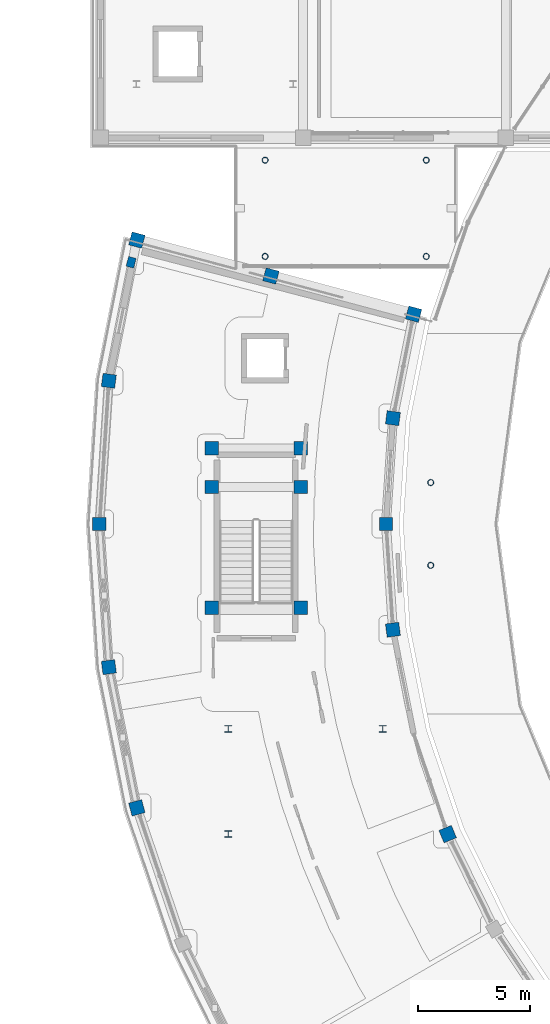
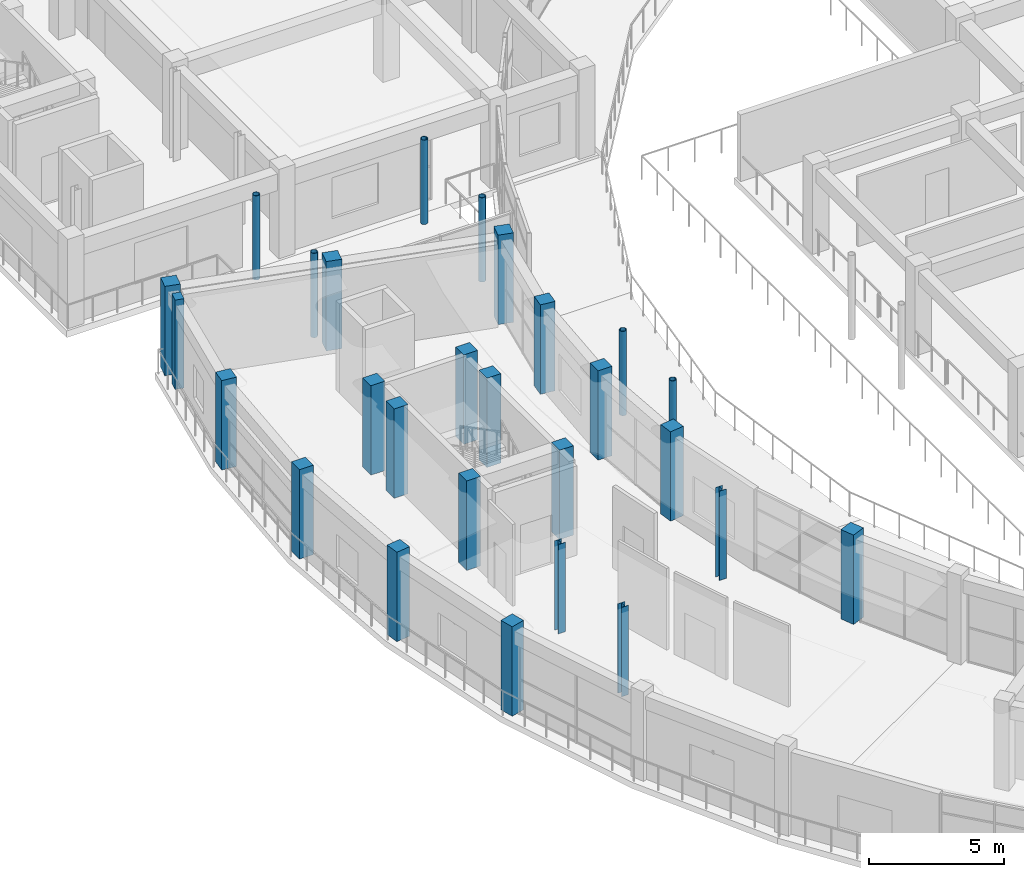
# One storey, part 3 of 83: 27 columns.
"""IFC4 building model written with IfcOpenShell, lengths in metres."""

from ifc_helpers import new_model, si_unit, direction, frame, origin, origin_2d, place, context, subcontext, project, spatial, rectangle, hollow_circle, i_section, extrude, material, material_profile, profile_set, type_object, element, save


model = new_model("IFC4")

# Units and contexts
model_context = context("Model", 3, precision=1e-05, world=origin(), true_north=direction((0.0, 1.0)))
body_context = subcontext(model_context, "Body", "Model", "MODEL_VIEW")
ifc_project = project(units=[si_unit("LENGTHUNIT", "METRE"), si_unit("AREAUNIT", "SQUARE_METRE"), si_unit("VOLUMEUNIT", "CUBIC_METRE"), si_unit("PLANEANGLEUNIT", "RADIAN"), si_unit("MASSUNIT", "GRAM", prefix="KILO")], contexts=[model_context])

# Site, building, storey
site_placement = place(None, origin())
site = spatial("IfcSite", under=ifc_project, at=site_placement, CompositionType="ELEMENT")
building_placement = place(site_placement, origin())
building = spatial("IfcBuilding", under=site, at=building_placement, Name="Saryqyr Civic Hall", CompositionType="ELEMENT")
storey_placement = place(building_placement, frame((0.0, 0.0, 9.14990234375)))
storey = spatial("IfcBuildingStorey", under=building, at=storey_placement, Name="L02", CompositionType="ELEMENT", Elevation=9.14990234375)

# Columns
ifc_material_1 = material(Name="Steel S355", Category="steel")
ifc_material_profile_1 = material_profile(ifc_material_1, hollow_circle(Radius=0.136474609375, WallThickness=0.01611328125, at=origin_2d()), Name="CHS 273x16")
ifc_profile_set_1 = profile_set([ifc_material_profile_1], Name="Steel S355")
column_type_1 = type_object("IfcColumnType", Name="STR-COL-CHS273-S355", PredefinedType="COLUMN", material=ifc_profile_set_1)
for number, where, z_axis, x_axis, name in (
    (1, (15.39990234375, 95.949951171875, 0.0), (0.0, 0.0, 1.0), (1.0, 0.0, 0.0), "Column BRCOL-BR-NW-1-L02"),
    (2, (22.60009765625, 95.949951171875, 0.0), (0.0, 0.0, 1.0), (1.0, 0.0, 0.0), "Column BRCOL-BR-NW-2-L02"),
    (3, (22.60009765625, 100.25, 0.0), (0.0, 0.0, 1.0), (1.0, 0.0, 0.0), "Column BRCOL-BR-NW-3-L02"),
    (4, (15.39990234375, 100.25, 0.0), (0.0, 0.0, 1.0), (1.0, 0.0, 0.0), "Column BRCOL-BR-NW-4-L02"),
    (5, (22.800048828125, 82.14990234375, 0.0), (0.0, 0.0, 1.0), (1.0, 0.0, 0.0), "Column BRCOL-BR-CW-1-L02"),
    (6, (22.800048828125, 85.85009765625, 0.0), (0.0, 0.0, 1.0), (1.0, 0.0, 0.0), "Column BRCOL-BR-CW-4-L02"),
):
    element("IfcColumn", number, at=place(storey_placement, frame(where, z_axis=z_axis, x_axis=x_axis)), inside=storey, type_object=column_type_1, Name=name, PredefinedType="COLUMN", context=body_context, shape_type="SweptSolid", body=[
        extrude(hollow_circle(Radius=0.136474609375, WallThickness=0.01611328125, at=origin_2d()), origin(), (0.0, 0.0, 1.0), 3.820068359375),
    ])
ifc_material_profile_2 = material_profile(ifc_material_1, i_section(OverallWidth=0.300048828125, OverallDepth=0.2900390625, WebThickness=0.008544921875, FlangeThickness=0.013916015625, at=origin_2d()), Name="HEA 300")
ifc_profile_set_2 = profile_set([ifc_material_profile_2], Name="Steel S355")
column_type_2 = type_object("IfcColumnType", Name="STR-COL-HEA300-S355", PredefinedType="COLUMN", material=ifc_profile_set_2)
for number, where, z_axis, x_axis, name in (
    (7, (13.75, 70.14990234375, 0.0), (0.0, 0.0, 1.0), (1.0, 0.0, 0.0), "Column RGV4-COL-1-L02"),
    (8, (20.64990234375, 74.85009765625, 0.0), (0.0, 0.0, 1.0), (1.0, 0.0, 0.0), "Column RGV4-COL-3-L02"),
    (9, (13.75, 74.85009765625, 0.0), (0.0, 0.0, 1.0), (1.0, 0.0, 0.0), "Column RGV4-COL-4-L02"),
):
    element("IfcColumn", number, at=place(storey_placement, frame(where, z_axis=z_axis, x_axis=x_axis)), inside=storey, type_object=column_type_2, Name=name, PredefinedType="COLUMN", context=body_context, shape_type="SweptSolid", body=[
        extrude(i_section(OverallWidth=0.300048828125, OverallDepth=0.2900390625, WebThickness=0.008544921875, FlangeThickness=0.013916015625, at=origin_2d()), origin(), (0.0, 0.0, 1.0), 4.050048828125),
    ])
ifc_material_2 = material(Name="Concrete C40/50", Category="concrete")
ifc_material_profile_3 = material_profile(ifc_material_2, rectangle(XDim=0.60009765625, YDim=0.60009765625, at=origin_2d()), Name="RC 600x600")
ifc_profile_set_3 = profile_set([ifc_material_profile_3], Name="Concrete C40/50")
column_type_3 = type_object("IfcColumnType", Name="STR-COL-RC600-C40", PredefinedType="COLUMN", material=ifc_profile_set_3)
for number, where, z_axis, x_axis, name in (
    (10, (22.033447265625, 93.369140625, 0.0), (0.0, 0.0, 1.0), (-0.965925826289, 0.258819045103, 0.0), "Column V4-COL-IN00-L02"),
    (11, (15.658447265625, 95.077392578125, 0.0), (0.0, 0.0, 1.0), (-0.965925826289, 0.258819045103, 0.0), "Column V4-COL-MID00-L02"),
    (12, (9.669677734375, 96.68212890625, 0.0), (0.0, 0.0, 1.0), (-0.965925826289, 0.258819045103, 0.0), "Column V4-COL-OUT00-L02"),
    (13, (21.109619140625, 88.72509765625, 0.0), (0.0, 0.0, 1.0), (-0.991444861374, 0.13052619222, 0.0), "Column V4-COL-IN01-L02"),
    (14, (8.419189453125, 90.395751953125, 0.0), (0.0, 0.0, 1.0), (-0.991444861374, 0.13052619222, 0.0), "Column V4-COL-OUT01-L02"),
    (15, (20.800048828125, 84.0, 0.0), (0.0, 0.0, 1.0), (-1.0, 0.0, 0.0), "Column V4-COL-IN02-L02"),
    (16, (8.0, 84.0, 0.0), (0.0, 0.0, 1.0), (-1.0, 0.0, 0.0), "Column V4-COL-OUT02-L02"),
    (17, (21.109619140625, 79.27490234375, 0.0), (0.0, 0.0, 1.0), (-0.991444861374, -0.13052619222, 0.0), "Column V4-COL-IN03-L02"),
    (18, (8.419189453125, 77.604248046875, 0.0), (0.0, 0.0, 1.0), (-0.991444861374, -0.13052619222, 0.0), "Column V4-COL-OUT03-L02"),
    (19, (9.669677734375, 71.31787109375, 0.0), (0.0, 0.0, 1.0), (-0.965925826289, -0.258819045103, 0.0), "Column V4-COL-OUT04-L02"),
    (20, (23.5556640625, 70.14697265625, 0.0), (0.0, 0.0, 1.0), (-0.923879532511, -0.382683432365, 0.0), "Column V4-COL-IN05-L02"),
    (21, (16.989990234375, 80.264892578125, 0.0), (0.0, 0.0, 1.0), (1.0, 0.0, 0.0), "Column ST-4-SCOL-TRMA-L02"),
    (22, (13.010009765625, 80.264892578125, 0.0), (0.0, 0.0, 1.0), (1.0, 0.0, 0.0), "Column ST-4-SCOL-TRMB-L02"),
    (23, (16.989990234375, 85.64990234375, 0.0), (0.0, 0.0, 1.0), (1.0, 0.0, 0.0), "Column ST-4-SCOL-LND1A-L02"),
    (24, (13.010009765625, 85.64990234375, 0.0), (0.0, 0.0, 1.0), (1.0, 0.0, 0.0), "Column ST-4-SCOL-LND1B-L02"),
    (25, (16.989990234375, 87.3798828125, 0.0), (0.0, 0.0, 1.0), (1.0, 0.0, 0.0), "Column ST-4-SCOL-LND2A-L02"),
    (26, (13.010009765625, 87.3798828125, 0.0), (0.0, 0.0, 1.0), (1.0, 0.0, 0.0), "Column ST-4-SCOL-LND2B-L02"),
):
    element("IfcColumn", number, at=place(storey_placement, frame(where, z_axis=z_axis, x_axis=x_axis)), inside=storey, type_object=column_type_3, Name=name, PredefinedType="COLUMN", context=body_context, shape_type="SweptSolid", body=[
        extrude(rectangle(XDim=0.60009765625, YDim=0.60009765625, at=origin_2d()), origin(), (0.0, 0.0, 1.0), 4.050048828125),
    ])
ifc_material_3 = material(Name="Concrete C35/45", Category="concrete")
ifc_material_profile_4 = material_profile(ifc_material_3, rectangle(XDim=0.35009765625, YDim=0.449951171875, at=origin_2d()), Name="RC 350x450")
ifc_profile_set_4 = profile_set([ifc_material_profile_4], Name="Concrete C35/45")
column_type_4 = type_object("IfcColumnType", Name="STR-PIL-RC350x450-EXT", PredefinedType="PILASTER", material=ifc_profile_set_4)
column_placement = place(storey_placement, frame((9.414306640625, 95.68798828125, 0.0), z_axis=(0.0, 0.0, 1.0), x_axis=(-0.965925826289, 0.258819045103, 0.0)))
element("IfcColumn", 27, at=column_placement, inside=storey, type_object=column_type_4, Name="Column V4-PIL-00-L02", PredefinedType="PILASTER", context=body_context, shape_type="SweptSolid", body=[
    extrude(rectangle(XDim=0.35009765625, YDim=0.449951171875, at=origin_2d()), origin(), (0.0, 0.0, 1.0), 4.050048828125),
])

save(model, "model.ifc")
